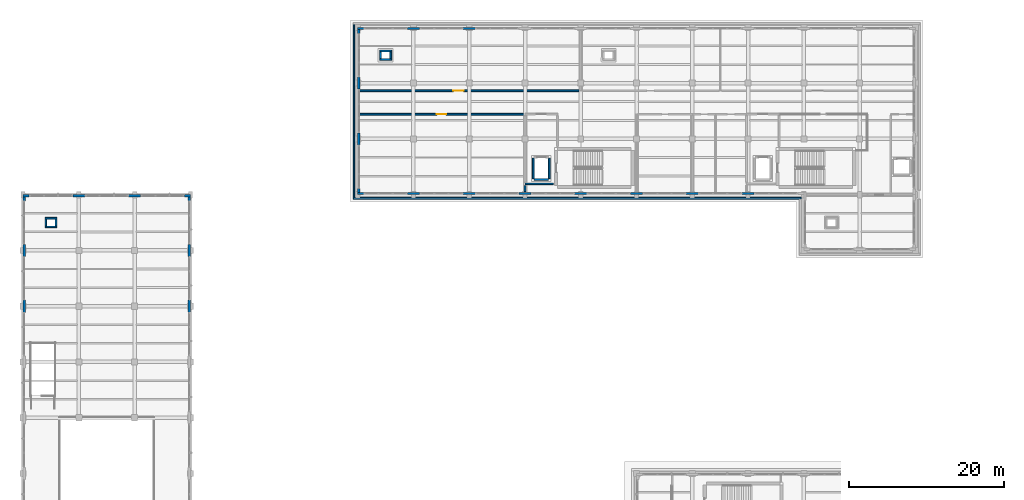
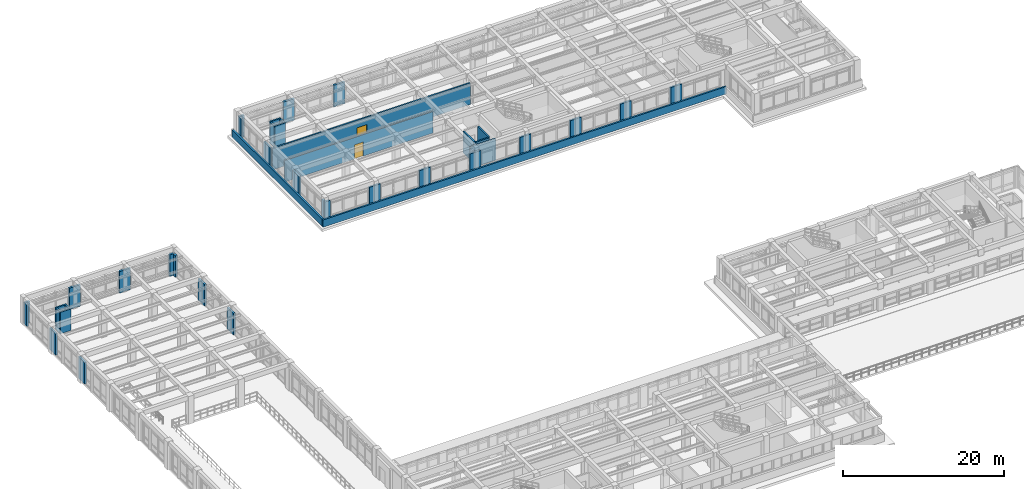
# One storey, part 50 of 67: 42 walls, 2 doors, 2 openings.
"""IFC4 building model written with IfcOpenShell, lengths in metres."""

from ifc_helpers import new_model, si_unit, direction, frame, frame_2d, origin, place, context, subcontext, project, spatial, rectangle, extrude, material, layer, layer_set, type_object, element, fill, save


model = new_model("IFC4")

# Units and contexts
model_context = context("Model", 3, precision=1e-05, world=origin(), true_north=direction((0.0, 1.0)))
body_context = subcontext(model_context, "Body", "Model", "MODEL_VIEW")
ifc_project = project(units=[si_unit("LENGTHUNIT", "METRE"), si_unit("AREAUNIT", "SQUARE_METRE"), si_unit("VOLUMEUNIT", "CUBIC_METRE"), si_unit("PLANEANGLEUNIT", "RADIAN"), si_unit("MASSUNIT", "GRAM", prefix="KILO")], contexts=[model_context])

# Site, building, storey
site_placement = place(None, origin())
site = spatial("IfcSite", under=ifc_project, at=site_placement, CompositionType="ELEMENT")
building_placement = place(site_placement, origin())
building = spatial("IfcBuilding", under=site, at=building_placement, Name="Solenvale Faculty of Natural Sciences", CompositionType="ELEMENT")
storey_placement = place(building_placement, frame((0.0, 0.0, 13.5)))
storey = spatial("IfcBuildingStorey", under=building, at=storey_placement, Name="L03", CompositionType="ELEMENT", Elevation=13.5)

# Walls
ifc_material_1 = material(Name="Precast concrete 40 MPa", Category="concrete")
ifc_layer_1 = layer(ifc_material_1, 0.284912109375)
ifc_layer_set_1 = layer_set([ifc_layer_1], Name="Precast concrete 40 MPa")
wall_type_1 = type_object("IfcWallType", Name="WL-EXT-PRC-285", PredefinedType="STANDARD", material=ifc_layer_set_1)
for number, where, z_axis, x_axis, name in (
    (1, (57.45751953125, 78.412109375, 0.0), (0.0, 0.0, 1.0), (0.0, 1.0, 0.0), "L03 Facade Closure Pier 1.B6-R"),
    (2, (57.45751953125, 85.612060546875, 0.0), (0.0, 0.0, 1.0), (0.0, 1.0, 0.0), "L03 Facade Closure Pier 1.B7-R"),
):
    element("IfcWall", number, at=place(storey_placement, frame(where, z_axis=z_axis, x_axis=x_axis)), inside=storey, type_object=wall_type_1, Name=name, PredefinedType="STANDARD", context=body_context, shape_type="SweptSolid", body=[
        extrude(rectangle(XDim=1.575927734375, YDim=0.284912109375, at=frame_2d((0.7880859375, 0.0))), origin(), (0.0, 0.0, 1.0), 3.260009765625),
    ])
wall_1_placement = place(storey_placement, frame((57.45751953125, 92.81201171875, 0.0), z_axis=(0.0, 0.0, 1.0), x_axis=(0.0, 1.0, 0.0)))
element("IfcWall", 3, at=wall_1_placement, inside=storey, type_object=wall_type_1, Name="L03 Facade Closure Pier 1.B8-R", PredefinedType="STANDARD", context=body_context, shape_type="SweptSolid", body=[
    extrude(rectangle(XDim=0.5029296875, YDim=0.284912109375, at=frame_2d((0.25146484375, 0.0))), origin(), (0.0, 0.0, 1.0), 3.260009765625),
])
wall_2_placement = place(storey_placement, frame((57.60009765625, 93.45751953125, 0.0), z_axis=(0.0, 0.0, 1.0), x_axis=(-1.0, 0.0, 0.0)))
element("IfcWall", 4, at=wall_2_placement, inside=storey, type_object=wall_type_1, Name="L03 Facade Closure Pier 2.B1-L", PredefinedType="STANDARD", context=body_context, shape_type="SweptSolid", body=[
    extrude(rectangle(XDim=0.7880859375, YDim=0.284912109375, at=frame_2d((0.39404296875, 0.0))), origin(), (0.0, 0.0, 1.0), 3.260009765625),
])
for number, where, z_axis, x_axis, name in (
    (5, (51.18798828125, 93.45751953125, 0.0), (0.0, 0.0, 1.0), (-1.0, 0.0, 0.0), "L03 Facade Closure Pier 2.B1-R"),
    (6, (43.988037109375, 93.45751953125, 0.0), (0.0, 0.0, 1.0), (-1.0, 0.0, 0.0), "L03 Facade Closure Pier 2.B2-R"),
):
    element("IfcWall", number, at=place(storey_placement, frame(where, z_axis=z_axis, x_axis=x_axis)), inside=storey, type_object=wall_type_1, Name=name, PredefinedType="STANDARD", context=body_context, shape_type="SweptSolid", body=[
        extrude(rectangle(XDim=1.575927734375, YDim=0.284912109375, at=frame_2d((0.7880859375, 0.0))), origin(), (0.0, 0.0, 1.0), 3.260009765625),
    ])
wall_3_placement = place(storey_placement, frame((36.7880859375, 93.45751953125, 0.0), z_axis=(0.0, 0.0, 1.0), x_axis=(-1.0, 0.0, 0.0)))
element("IfcWall", 7, at=wall_3_placement, inside=storey, type_object=wall_type_1, Name="L03 Facade Closure Pier 2.B3-R", PredefinedType="STANDARD", context=body_context, shape_type="SweptSolid", body=[
    extrude(rectangle(XDim=0.7880859375, YDim=0.284912109375, at=frame_2d((0.39404296875, 0.0))), origin(), (0.0, 0.0, 1.0), 3.260009765625),
])
wall_4_placement = place(storey_placement, frame((36.142578125, 93.31494140625, 0.0), z_axis=(0.0, 0.0, 1.0), x_axis=(0.0, -1.0, 0.0)))
element("IfcWall", 8, at=wall_4_placement, inside=storey, type_object=wall_type_1, Name="L03 Facade Closure Pier 3.B1-L", PredefinedType="STANDARD", context=body_context, shape_type="SweptSolid", body=[
    extrude(rectangle(XDim=0.5029296875, YDim=0.284912109375, at=frame_2d((0.25146484375, 0.0))), origin(), (0.0, 0.0, 1.0), 3.260009765625),
])
for number, where, z_axis, x_axis, name in (
    (9, (36.142578125, 87.18798828125, 0.0), (0.0, 0.0, 1.0), (0.0, -1.0, 0.0), "L03 Facade Closure Pier 3.B1-R"),
    (10, (36.142578125, 79.988037109375, 0.0), (0.0, 0.0, 1.0), (0.0, -1.0, 0.0), "L03 Facade Closure Pier 3.B2-R"),
    (11, (94.387939453125, 115.0576171875, 0.0), (0.0, 0.0, 1.0), (-1.0, 0.0, 0.0), "L03 Facade Closure Pier 4.B8-R"),
    (12, (87.18798828125, 115.0576171875, 0.0), (0.0, 0.0, 1.0), (-1.0, 0.0, 0.0), "L03 Facade Closure Pier 4.B9-R"),
):
    element("IfcWall", number, at=place(storey_placement, frame(where, z_axis=z_axis, x_axis=x_axis)), inside=storey, type_object=wall_type_1, Name=name, PredefinedType="STANDARD", context=body_context, shape_type="SweptSolid", body=[
        extrude(rectangle(XDim=1.575927734375, YDim=0.284912109375, at=frame_2d((0.7880859375, 0.0))), origin(), (0.0, 0.0, 1.0), 3.260009765625),
    ])
wall_5_placement = place(storey_placement, frame((79.988037109375, 115.0576171875, 0.0), z_axis=(0.0, 0.0, 1.0), x_axis=(-1.0, 0.0, 0.0)))
element("IfcWall", 13, at=wall_5_placement, inside=storey, type_object=wall_type_1, Name="L03 Facade Closure Pier 4.B10-R", PredefinedType="STANDARD", context=body_context, shape_type="SweptSolid", body=[
    extrude(rectangle(XDim=0.7880859375, YDim=0.284912109375, at=frame_2d((0.39404296875, 0.0))), origin(), (0.0, 0.0, 1.0), 3.260009765625),
])
wall_6_placement = place(storey_placement, frame((79.342529296875, 114.9150390625, 0.0), z_axis=(0.0, 0.0, 1.0), x_axis=(0.0, -1.0, 0.0)))
element("IfcWall", 14, at=wall_6_placement, inside=storey, type_object=wall_type_1, Name="L03 Facade Closure Pier 5.B1-L", PredefinedType="STANDARD", context=body_context, shape_type="SweptSolid", body=[
    extrude(rectangle(XDim=0.5029296875, YDim=0.284912109375, at=frame_2d((0.25146484375, 0.0))), origin(), (0.0, 0.0, 1.0), 3.260009765625),
])
wall_7_placement = place(storey_placement, frame((79.342529296875, 108.7880859375, 0.0), z_axis=(0.0, 0.0, 1.0), x_axis=(0.0, -1.0, 0.0)))
element("IfcWall", 15, at=wall_7_placement, inside=storey, type_object=wall_type_1, Name="L03 Facade Closure Pier 5.B1-R", PredefinedType="STANDARD", context=body_context, shape_type="SweptSolid", body=[
    extrude(rectangle(XDim=1.576171875, YDim=0.284912109375, at=frame_2d((0.7880859375, 0.0))), origin(), (0.0, 0.0, 1.0), 3.260009765625),
])
wall_8_placement = place(storey_placement, frame((79.342529296875, 101.587890625, 0.0), z_axis=(0.0, 0.0, 1.0), x_axis=(0.0, -1.0, 0.0)))
element("IfcWall", 16, at=wall_8_placement, inside=storey, type_object=wall_type_1, Name="L03 Facade Closure Pier 5.B2-R", PredefinedType="STANDARD", context=body_context, shape_type="SweptSolid", body=[
    extrude(rectangle(XDim=1.575927734375, YDim=0.284912109375, at=frame_2d((0.7880859375, 0.0))), origin(), (0.0, 0.0, 1.0), 3.260009765625),
])
wall_9_placement = place(storey_placement, frame((79.342529296875, 94.387939453125, 0.0), z_axis=(0.0, 0.0, 1.0), x_axis=(0.0, -1.0, 0.0)))
element("IfcWall", 17, at=wall_9_placement, inside=storey, type_object=wall_type_1, Name="L03 Facade Closure Pier 5.B3-R", PredefinedType="STANDARD", context=body_context, shape_type="SweptSolid", body=[
    extrude(rectangle(XDim=0.5029296875, YDim=0.284912109375, at=frame_2d((0.25146484375, 0.0))), origin(), (0.0, 0.0, 1.0), 3.260009765625),
])
wall_10_placement = place(storey_placement, frame((79.199951171875, 93.742431640625, 0.0), z_axis=(0.0, 0.0, 1.0), x_axis=(1.0, 0.0, 0.0)))
element("IfcWall", 18, at=wall_10_placement, inside=storey, type_object=wall_type_1, Name="L03 Facade Closure Pier 6.B1-L", PredefinedType="STANDARD", context=body_context, shape_type="SweptSolid", body=[
    extrude(rectangle(XDim=0.7880859375, YDim=0.284912109375, at=frame_2d((0.39404296875, 0.0))), origin(), (0.0, 0.0, 1.0), 3.260009765625),
])
for number, where, z_axis, x_axis, name in (
    (19, (85.612060546875, 93.742431640625, 0.0), (0.0, 0.0, 1.0), (1.0, 0.0, 0.0), "L03 Facade Closure Pier 6.B1-R"),
    (20, (92.81201171875, 93.742431640625, 0.0), (0.0, 0.0, 1.0), (1.0, 0.0, 0.0), "L03 Facade Closure Pier 6.B2-R"),
    (21, (100.011962890625, 93.742431640625, 0.0), (0.0, 0.0, 1.0), (1.0, 0.0, 0.0), "L03 Facade Closure Pier 6.B3-R"),
):
    element("IfcWall", number, at=place(storey_placement, frame(where, z_axis=z_axis, x_axis=x_axis)), inside=storey, type_object=wall_type_1, Name=name, PredefinedType="STANDARD", context=body_context, shape_type="SweptSolid", body=[
        extrude(rectangle(XDim=1.575927734375, YDim=0.284912109375, at=frame_2d((0.7880859375, 0.0))), origin(), (0.0, 0.0, 1.0), 3.260009765625),
    ])
wall_11_placement = place(storey_placement, frame((107.2119140625, 93.742431640625, 0.0), z_axis=(0.0, 0.0, 1.0), x_axis=(1.0, 0.0, 0.0)))
element("IfcWall", 22, at=wall_11_placement, inside=storey, type_object=wall_type_1, Name="L03 Facade Closure Pier 6.B4-R", PredefinedType="STANDARD", context=body_context, shape_type="SweptSolid", body=[
    extrude(rectangle(XDim=1.576171875, YDim=0.284912109375, at=frame_2d((0.7880859375, 0.0))), origin(), (0.0, 0.0, 1.0), 3.260009765625),
])
for number, where, z_axis, x_axis, name in (
    (23, (114.412109375, 93.742431640625, 0.0), (0.0, 0.0, 1.0), (1.0, 0.0, 0.0), "L03 Facade Closure Pier 6.B5-R"),
    (24, (121.612060546875, 93.742431640625, 0.0), (0.0, 0.0, 1.0), (1.0, 0.0, 0.0), "L03 Facade Closure Pier 6.B6-R"),
    (25, (128.81201171875, 93.742431640625, 0.0), (0.0, 0.0, 1.0), (1.0, 0.0, 0.0), "L03 Facade Closure Pier 6.B7-R"),
):
    element("IfcWall", number, at=place(storey_placement, frame(where, z_axis=z_axis, x_axis=x_axis)), inside=storey, type_object=wall_type_1, Name=name, PredefinedType="STANDARD", context=body_context, shape_type="SweptSolid", body=[
        extrude(rectangle(XDim=1.575927734375, YDim=0.284912109375, at=frame_2d((0.7880859375, 0.0))), origin(), (0.0, 0.0, 1.0), 3.260009765625),
    ])
ifc_material_2 = material(Name="Gypsum fire-rated shaftwall")
ifc_layer_2 = layer(ifc_material_2, 0.205078125)
ifc_layer_set_2 = layer_set([ifc_layer_2], Name="Gypsum fire-rated shaftwall")
wall_type_2 = type_object("IfcWallType", Name="WL-FFL-205", PredefinedType="PARTITIONING", material=ifc_layer_set_2)
wall_12_placement = place(storey_placement, frame((104.47509765625, 95.0, 0.0), z_axis=(0.0, 0.0, 1.0), x_axis=(-1.0, 0.0, 0.0)))
element("IfcWall", 26, at=wall_12_placement, inside=storey, type_object=wall_type_2, Name="L03 Firefighting Lobby C4 Partition 20", PredefinedType="PARTITIONING", context=body_context, shape_type="SweptSolid", body=[
    extrude(rectangle(XDim=3.675048828125, YDim=0.205078125, at=frame_2d((1.83740234375, 0.0))), origin(), (0.0, 0.0, 1.0), 3.260009765625),
])

# Wall, opening, door
ifc_material_3 = material(Name="Gypsum fire-rated laboratory partition")
ifc_layer_3 = layer(ifc_material_3, 0.2119140625)
ifc_layer_set_3 = layer_set([ifc_layer_3], Name="Gypsum fire-rated laboratory partition")
wall_type_3 = type_object("IfcWallType", Name="WL-LAB-212", PredefinedType="PARTITIONING", material=ifc_layer_set_3)
wall_13_placement = place(storey_placement, frame((79.383056640625, 103.97998046875, 0.0), z_axis=(0.0, 0.0, 1.0), x_axis=(1.0, 0.0, 0.0)))
wall_13 = element("IfcWall", 27, at=wall_13_placement, inside=storey, type_object=wall_type_3, Name="L03 Earth Sciences Teaching Laboratory Partition 2", PredefinedType="PARTITIONING", context=body_context, shape_type="SweptSolid", body=[
    extrude(rectangle(XDim=21.298828125, YDim=0.2119140625, at=frame_2d((10.6494140625, 0.0))), origin(), (0.0, 0.0, 1.0), 3.260009765625),
])
opening_1_placement = place(wall_13_placement, frame((10.02490234375, 0.0, 0.0)))
opening_1 = element("IfcOpeningElement", 28, at=opening_1_placement, cuts=wall_13, Name="Opening D-L03-08", PredefinedType="OPENING", context=body_context, shape_type="SweptSolid", body=[
    extrude(rectangle(XDim=1.25, YDim=2.14990234375, at=frame_2d((0.625, 1.074951171875))), frame((0.0, 0.115966796875, 0.0), z_axis=(0.0, -1.0, 0.0), x_axis=(1.0, 0.0, 0.0)), (0.0, 0.0, 1.0), 0.23193359375),
])
ifc_material_4 = material(Name="Oak acoustic timber leaf", Category="wood")
door_type_1 = type_object("IfcDoorType", Name="DR-LAB-1250x2150", OperationType="NOTDEFINED", PredefinedType="DOOR", material=ifc_material_4)
door_1_placement = place(opening_1_placement, origin())
door_1 = element("IfcDoor", 29, at=door_1_placement, inside=storey, type_object=door_type_1, Name="L03 Earth Sciences Teaching Laboratory Door", OperationType="SINGLE_SWING_RIGHT", OverallHeight=2.14990234375, OverallWidth=1.25, PredefinedType="DOOR", context=body_context, shape_type="SweptSolid", body=[
    extrude(rectangle(XDim=1.25, YDim=2.14990234375, at=frame_2d((0.625, 1.074951171875))), frame((0.0, 0.02490234375, 0.0), z_axis=(0.0, -1.0, 0.0), x_axis=(1.0, 0.0, 0.0)), (0.0, 0.0, 1.0), 0.050048828125),
])
fill(opening_1, door_1)

# Wall
wall_14_placement = place(storey_placement, frame((100.800048828125, 94.779052734375, 0.0), z_axis=(0.0, 0.0, 1.0), x_axis=(0.0, -1.0, 0.0)))
element("IfcWall", 30, at=wall_14_placement, inside=storey, type_object=wall_type_3, Name="L03 Earth Sciences Teaching Laboratory Partition 20", PredefinedType="PARTITIONING", context=body_context, shape_type="SweptSolid", body=[
    extrude(rectangle(XDim=0.776123046875, YDim=0.2119140625, at=frame_2d((0.38818359375, 0.0))), origin(), (0.0, 0.0, 1.0), 3.260009765625),
])

# Wall, opening, door
ifc_layer_4 = layer(ifc_material_3, 0.22802734375)
ifc_layer_set_4 = layer_set([ifc_layer_4], Name="Gypsum fire-rated laboratory partition")
wall_type_4 = type_object("IfcWallType", Name="WL-LAB-228", PredefinedType="PARTITIONING", material=ifc_layer_set_4)
wall_15_placement = place(storey_placement, frame((107.760009765625, 107.02001953125, 0.0), z_axis=(0.0, 0.0, 1.0), x_axis=(-1.0, 0.0, 0.0)))
wall_15 = element("IfcWall", 31, at=wall_15_placement, inside=storey, type_object=wall_type_4, Name="L03 Environmental Genomics Laboratory Partition 4", PredefinedType="PARTITIONING", context=body_context, shape_type="SweptSolid", body=[
    extrude(rectangle(XDim=28.376953125, YDim=0.22802734375, at=frame_2d((14.1884765625, 0.0))), origin(), (0.0, 0.0, 1.0), 3.260009765625),
])
opening_2_placement = place(wall_15_placement, frame((14.84912109375, 0.0, 0.0)))
opening_2 = element("IfcOpeningElement", 32, at=opening_2_placement, cuts=wall_15, Name="Opening D-L03-13", PredefinedType="OPENING", context=body_context, shape_type="SweptSolid", body=[
    extrude(rectangle(XDim=1.3798828125, YDim=2.14990234375, at=frame_2d((0.68994140625, 1.074951171875))), frame((0.0, 0.1240234375, 0.0), z_axis=(0.0, -1.0, 0.0), x_axis=(1.0, 0.0, 0.0)), (0.0, 0.0, 1.0), 0.248046875),
])
door_type_2 = type_object("IfcDoorType", Name="DR-LAB-1380x2150", OperationType="NOTDEFINED", PredefinedType="DOOR", material=ifc_material_4)
door_2_placement = place(opening_2_placement, origin())
door_2 = element("IfcDoor", 33, at=door_2_placement, inside=storey, type_object=door_type_2, Name="L03 Environmental Genomics Laboratory Door", OperationType="SINGLE_SWING_LEFT", OverallHeight=2.14990234375, OverallWidth=1.3798828125, PredefinedType="DOOR", context=body_context, shape_type="SweptSolid", body=[
    extrude(rectangle(XDim=1.3798828125, YDim=2.14990234375, at=frame_2d((0.68994140625, 1.074951171875))), frame((0.0, 0.02490234375, 0.0), z_axis=(0.0, -1.0, 0.0), x_axis=(1.0, 0.0, 0.0)), (0.0, 0.0, 1.0), 0.050048828125),
])
fill(opening_2, door_2)

# Walls
ifc_material_5 = material(Name="Architectural bronze concrete 40 MPa", Category="concrete")
ifc_layer_5 = layer(ifc_material_5, 0.239990234375)
ifc_layer_set_5 = layer_set([ifc_layer_5], Name="Architectural bronze concrete 40 MPa")
wall_type_5 = type_object("IfcWallType", Name="WL-PAR-BRZ-240", PredefinedType="PARAPET", material=ifc_layer_set_5)
wall_16_placement = place(storey_placement, frame((78.719970703125, 93.239990234375, 0.0), z_axis=(0.0, 0.0, 1.0), x_axis=(0.0, 1.0, 0.0)))
element("IfcWall", 34, at=wall_16_placement, inside=storey, type_object=wall_type_5, Name="L03 Tower Horizontal Concrete Band 6", PredefinedType="PARAPET", context=body_context, shape_type="SweptSolid", body=[
    extrude(rectangle(XDim=22.320068359375, YDim=0.239990234375, at=frame_2d((11.16015625, 0.0))), origin(), (0.0, 0.0, 1.0), 1.1201171875),
])
wall_17_placement = place(storey_placement, frame((136.43994140625, 93.1201171875, 0.0), z_axis=(0.0, 0.0, 1.0), x_axis=(-1.0, 0.0, 0.0)))
element("IfcWall", 35, at=wall_17_placement, inside=storey, type_object=wall_type_5, Name="L03 Tower Horizontal Concrete Band 12", PredefinedType="PARAPET", context=body_context, shape_type="SweptSolid", body=[
    extrude(rectangle(XDim=57.83984375, YDim=0.239990234375, at=frame_2d((28.919921875, 0.0))), origin(), (0.0, 0.0, 1.0), 1.1201171875),
])
ifc_material_6 = material(Name="Concrete 40 MPa", Category="concrete")
ifc_layer_6 = layer(ifc_material_6, 0.219970703125)
ifc_layer_set_6 = layer_set([ifc_layer_6], Name="Concrete 40 MPa")
wall_type_6 = type_object("IfcWallType", Name="WL-SHF-220", PredefinedType="STANDARD", material=ifc_layer_set_6)
wall_18_placement = place(storey_placement, frame((101.97998046875, 95.570068359375, 0.0), z_axis=(0.0, 0.0, 1.0), x_axis=(1.0, 0.0, 0.0)))
element("IfcWall", 36, at=wall_18_placement, inside=storey, type_object=wall_type_6, Name="Elevator LF-01 L03 Shaft Wall S", PredefinedType="STANDARD", context=body_context, shape_type="SweptSolid", body=[
    extrude(rectangle(XDim=1.840087890625, YDim=0.219970703125, at=frame_2d((0.919921875, 0.0))), origin(), (0.0, 0.0, 1.0), 3.260009765625),
])
for number, where, z_axis, x_axis, name in (
    (37, (101.8701171875, 95.679931640625, 0.0), (0.0, 0.0, 1.0), (0.0, 1.0, 0.0), "Elevator LF-01 L03 Shaft Wall W"),
    (38, (103.929931640625, 95.679931640625, 0.0), (0.0, 0.0, 1.0), (0.0, 1.0, 0.0), "Elevator LF-01 L03 Shaft Wall E"),
):
    element("IfcWall", number, at=place(storey_placement, frame(where, z_axis=z_axis, x_axis=x_axis)), inside=storey, type_object=wall_type_6, Name=name, PredefinedType="STANDARD", context=body_context, shape_type="SweptSolid", body=[
        extrude(rectangle(XDim=2.64013671875, YDim=0.219970703125, at=frame_2d((1.320068359375, 0.0))), origin(), (0.0, 0.0, 1.0), 3.260009765625),
    ])
for number, where, z_axis, x_axis, name in (
    (39, (38.830078125, 89.43994140625, 0.0), (0.0, 0.0, 1.0), (1.0, 0.0, 0.0), "L03 Service Riser Shaft 1 Wall S"),
    (40, (38.830078125, 90.56005859375, 0.0), (0.0, 0.0, 1.0), (1.0, 0.0, 0.0), "L03 Service Riser Shaft 1 Wall N"),
):
    element("IfcWall", number, at=place(storey_placement, frame(where, z_axis=z_axis, x_axis=x_axis)), inside=storey, type_object=wall_type_6, Name=name, PredefinedType="STANDARD", context=body_context, shape_type="SweptSolid", body=[
        extrude(rectangle(XDim=1.5400390625, YDim=0.219970703125, at=frame_2d((0.77001953125, 0.0))), origin(), (0.0, 0.0, 1.0), 3.260009765625),
    ])
for number, where, z_axis, x_axis, name in (
    (41, (38.93994140625, 89.550048828125, 0.0), (0.0, 0.0, 1.0), (0.0, 1.0, 0.0), "L03 Service Riser Shaft 1 Wall W"),
    (42, (40.260009765625, 89.550048828125, 0.0), (0.0, 0.0, 1.0), (0.0, 1.0, 0.0), "L03 Service Riser Shaft 1 Wall E"),
):
    element("IfcWall", number, at=place(storey_placement, frame(where, z_axis=z_axis, x_axis=x_axis)), inside=storey, type_object=wall_type_6, Name=name, PredefinedType="STANDARD", context=body_context, shape_type="SweptSolid", body=[
        extrude(rectangle(XDim=0.89990234375, YDim=0.219970703125, at=frame_2d((0.449951171875, 0.0))), origin(), (0.0, 0.0, 1.0), 3.260009765625),
    ])
for number, where, z_axis, x_axis, name in (
    (43, (82.030029296875, 111.0400390625, 0.0), (0.0, 0.0, 1.0), (1.0, 0.0, 0.0), "L03 Service Riser Shaft 4 Wall S"),
    (44, (82.030029296875, 112.159912109375, 0.0), (0.0, 0.0, 1.0), (1.0, 0.0, 0.0), "L03 Service Riser Shaft 4 Wall N"),
):
    element("IfcWall", number, at=place(storey_placement, frame(where, z_axis=z_axis, x_axis=x_axis)), inside=storey, type_object=wall_type_6, Name=name, PredefinedType="STANDARD", context=body_context, shape_type="SweptSolid", body=[
        extrude(rectangle(XDim=1.5400390625, YDim=0.219970703125, at=frame_2d((0.77001953125, 0.0))), origin(), (0.0, 0.0, 1.0), 3.260009765625),
    ])
for number, where, z_axis, x_axis, name in (
    (45, (82.139892578125, 111.14990234375, 0.0), (0.0, 0.0, 1.0), (0.0, 1.0, 0.0), "L03 Service Riser Shaft 4 Wall W"),
    (46, (83.4599609375, 111.14990234375, 0.0), (0.0, 0.0, 1.0), (0.0, 1.0, 0.0), "L03 Service Riser Shaft 4 Wall E"),
):
    element("IfcWall", number, at=place(storey_placement, frame(where, z_axis=z_axis, x_axis=x_axis)), inside=storey, type_object=wall_type_6, Name=name, PredefinedType="STANDARD", context=body_context, shape_type="SweptSolid", body=[
        extrude(rectangle(XDim=0.900146484375, YDim=0.219970703125, at=frame_2d((0.4501953125, 0.0))), origin(), (0.0, 0.0, 1.0), 3.260009765625),
    ])

save(model, "model.ifc")
